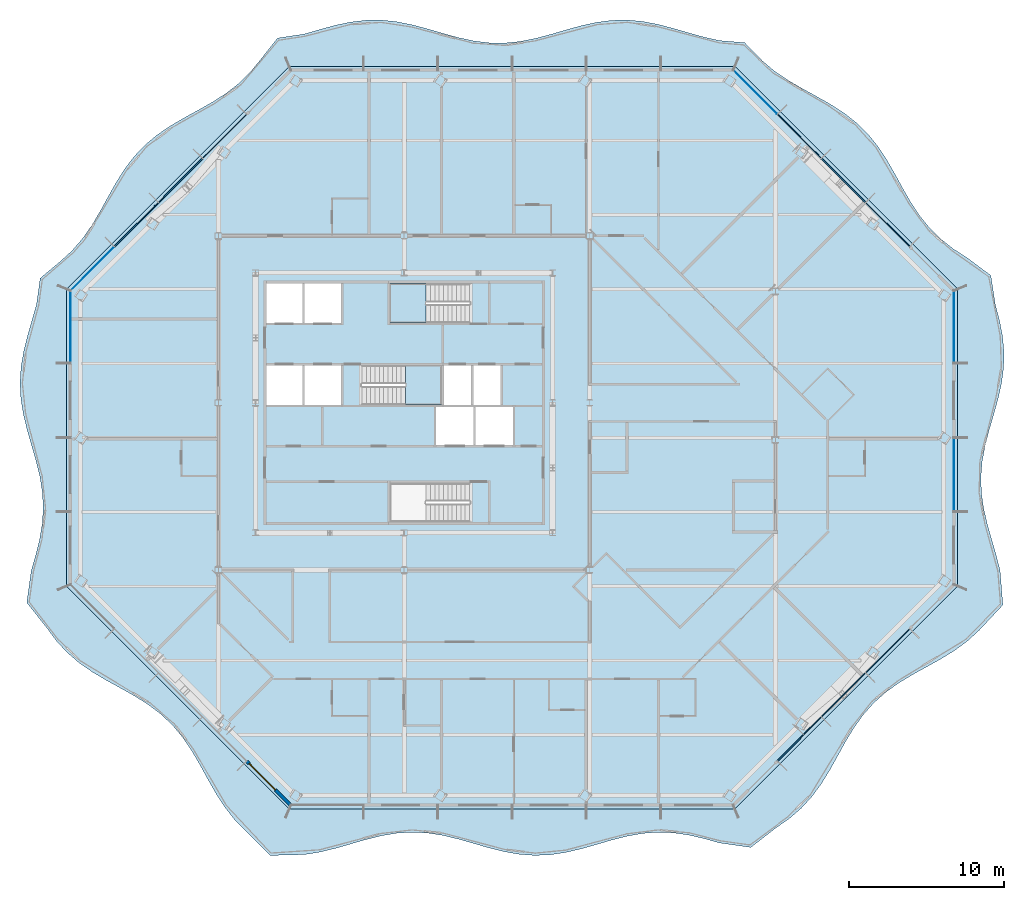
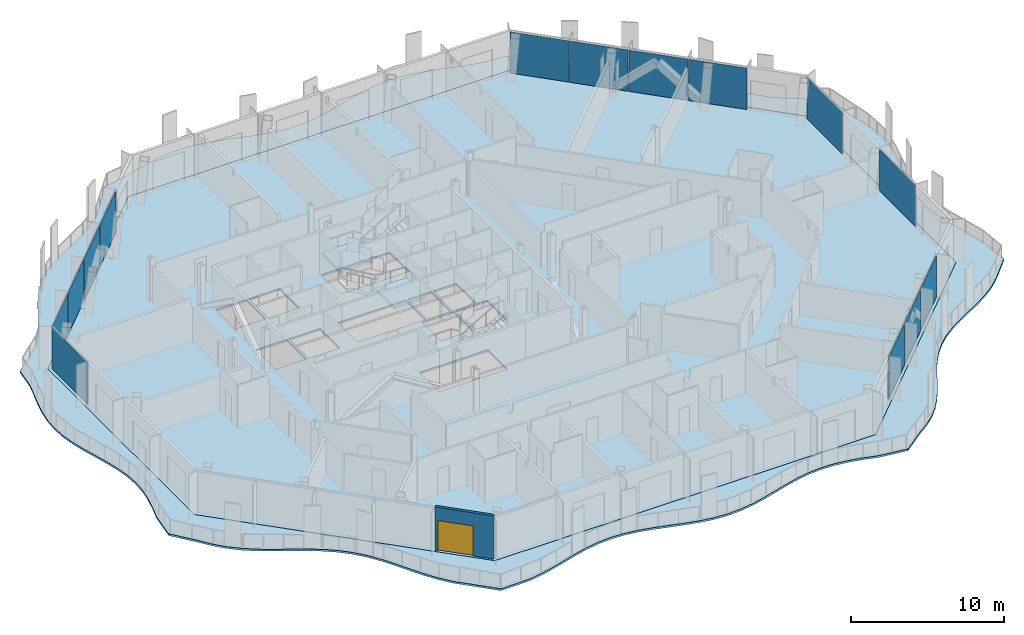
# One storey, part 6 of 19: 14 plates, 4 slabs, 1 door, 1 wall, 1 opening, 7 elements without a shape of their own.
"""IFC4 building model written with IfcOpenShell, lengths in metres."""

from ifc_helpers import new_model, si_unit, direction, frame, frame_2d, origin, origin_2d, place, context, subcontext, project, spatial, polyline, rectangle, outline, extrude, material, layer, layer_set, type_object, element, fill, aggregate, save


model = new_model("IFC4")

# Units and contexts
model_context = context("Model", 3, precision=1e-05, world=origin(), true_north=direction((0.0, 1.0)))
body_context = subcontext(model_context, "Body", "Model", "MODEL_VIEW")
ifc_project = project(units=[si_unit("LENGTHUNIT", "METRE"), si_unit("AREAUNIT", "SQUARE_METRE"), si_unit("VOLUMEUNIT", "CUBIC_METRE"), si_unit("PLANEANGLEUNIT", "RADIAN"), si_unit("MASSUNIT", "GRAM", prefix="KILO")], contexts=[model_context])

# Site, building, storey
site_placement = place(None, origin())
site = spatial("IfcSite", under=ifc_project, at=site_placement, CompositionType="ELEMENT")
building_placement = place(site_placement, origin())
building = spatial("IfcBuilding", under=site, at=building_placement, Name="Cairn Pilgrim Tower", CompositionType="ELEMENT")
storey_placement = place(building_placement, frame((0.0, 0.0, 197.39990234375)))
storey = spatial("IfcBuildingStorey", under=building, at=storey_placement, Name="L50", CompositionType="ELEMENT", Elevation=197.39990234375)

# Slabs
ifc_material_1 = material(Name="Concrete C35/45", Category="concrete")
ifc_layer_1 = layer(ifc_material_1, 0.14990234375)
ifc_layer_set_1 = layer_set([ifc_layer_1], Name="BALCONY SLAB 150 CONCRETE C35/45")
slab_type_1 = type_object("IfcSlabType", Name="BALCONY SLAB 150 CONCRETE C35/45", PredefinedType="FLOOR", material=ifc_layer_set_1)
slab_1_placement = place(storey_placement, frame((0.0, 0.0, -0.14990234375)))
element("IfcSlab", 1, at=slab_1_placement, inside=storey, type_object=slab_type_1, Name="Balcony slab BS-1", PredefinedType="FLOOR", context=body_context, shape_type="SweptSolid", body=[
    extrude(outline(polyline([(-3.058349609375, -25.243408203125), (-1.467529296875, -26.85009765625), (0.76806640625, -26.793701171875), (1.76123046875, -26.63330078125), (2.75439453125, -26.392578125), (3.747314453125, -26.108154296875), (4.740478515625, -25.822509765625), (5.733642578125, -25.578369140625), (6.726806640625, -25.41259765625), (7.7197265625, -25.35009765625), (8.712890625, -25.400390625), (9.7060546875, -25.555419921875), (10.69921875, -25.79248046875), (11.692138671875, -26.07568359375), (12.685302734375, -26.362548828125), (13.678466796875, -26.60986328125), (14.671630859375, -26.78076171875), (15.66455078125, -26.849365234375), (16.65771484375, -26.805419921875), (17.65087890625, -26.655517578125), (18.64404296875, -26.42236328125), (19.636962890625, -26.140625), (20.630126953125, -25.852783203125), (21.623291015625, -25.602294921875), (22.616455078125, -25.42626953125), (23.609375, -25.3515625), (24.6025390625, -25.38916015625), (25.595703125, -25.53369140625), (26.5888671875, -25.76318359375), (27.581787109375, -26.043212890625), (29.60302734375, -26.331787109375), (31.2333984375, -25.068359375), (32.08203125, -24.476806640625), (32.85546875, -23.810546875), (33.54541015625, -23.060546875), (34.15673828125, -22.231689453125), (34.706298828125, -21.34130859375), (35.220947265625, -20.416015625), (35.7333984375, -19.488525390625), (36.2763671875, -18.59130859375), (36.87744140625, -17.75244140625), (37.5556640625, -16.99072265625), (38.317626953125, -16.3125), (39.156494140625, -15.71142578125), (40.0537109375, -15.168701171875), (40.981201171875, -14.65625), (41.906494140625, -14.141357421875), (42.796875, -13.591796875), (43.62548828125, -12.98046875), (44.37548828125, -12.29052734375), (45.89794921875, -10.66064453125), (45.717529296875, -8.439453125), (45.460693359375, -7.428955078125), (45.167236328125, -6.41845703125), (44.8828125, -5.407958984375), (44.6513671875, -4.3974609375), (44.50927734375, -3.386962890625), (44.478271484375, -2.376220703125), (44.5634765625, -1.36572265625), (44.75146484375, -0.355224609375), (45.012939453125, 0.6552734375), (45.307373046875, 1.665771484375), (45.589111328125, 2.67626953125), (45.814208984375, 3.686767578125), (45.94775390625, 4.697265625), (45.968994140625, 5.7080078125), (45.87451171875, 6.718505859375), (45.67919921875, 7.72900390625), (45.4130859375, 8.739501953125), (45.117919921875, 10.6376953125), (43.572021484375, 11.786865234375), (42.69677734375, 12.351806640625), (41.889404296875, 12.984375), (41.16357421875, 13.698486328125), (40.52001953125, 14.494873046875), (39.94677734375, 15.36181640625), (39.4208984375, 16.27587890625), (38.91162109375, 17.20654296875), (38.385498046875, 18.12060546875), (37.812255859375, 18.9873046875), (37.168701171875, 19.78369140625), (36.4423828125, 20.49755859375), (35.634765625, 21.1298828125), (34.759521484375, 21.694580078125), (33.841064453125, 22.216064453125), (32.910888671875, 22.725830078125), (32.001708984375, 23.2568359375), (31.14404296875, 23.839111328125), (30.359130859375, 24.494140625), (29.208984375, 25.6806640625), (27.581787109375, 25.815185546875), (26.5888671875, 26.03759765625), (25.595703125, 26.314453125), (24.6025390625, 26.60400390625), (23.609375, 26.863037109375), (22.616455078125, 27.052734375), (21.623291015625, 27.14404296875), (20.630126953125, 27.123779296875), (19.636962890625, 26.994873046875), (18.64404296875, 26.776611328125), (17.65087890625, 26.501708984375), (16.65771484375, 26.211669921875), (15.66455078125, 25.94970703125), (14.671630859375, 25.755615234375), (13.678466796875, 25.657958984375), (12.685302734375, 25.672119140625), (11.692138671875, 25.79541015625), (10.69921875, 26.009521484375), (9.7060546875, 26.2822265625), (8.712890625, 26.572509765625), (7.7197265625, 26.837158203125), (6.726806640625, 27.0361328125), (5.733642578125, 27.139404296875), (4.740478515625, 27.131591796875), (3.747314453125, 27.01416015625), (2.75439453125, 26.804443359375), (1.76123046875, 26.533935546875), (0.76806640625, 26.2431640625), (-0.9814453125, 25.97607421875), (-2.089599609375, 24.57470703125), (-2.7333984375, 23.7783203125), (-3.45947265625, 23.064453125), (-4.267333984375, 22.43212890625), (-5.142578125, 21.867431640625), (-6.06103515625, 21.345947265625), (-6.9912109375, 20.836181640625), (-7.900146484375, 20.30517578125), (-8.758056640625, 19.72314453125), (-9.54296875, 19.06787109375), (-10.24462890625, 18.32958984375), (-10.8662109375, 17.51123046875), (-11.4228515625, 16.6279296875), (-11.940673828125, 15.705810546875), (-12.45166015625, 14.776611328125), (-12.98828125, 13.873291015625), (-13.579833984375, 13.02490234375), (-14.24658203125, 12.25146484375), (-14.996826171875, 11.561767578125), (-16.322998046875, 10.453369140625), (-16.562255859375, 8.739501953125), (-16.85009765625, 7.72900390625), (-17.1416015625, 6.718505859375), (-17.391845703125, 5.7080078125), (-17.561767578125, 4.697265625), (-17.625, 3.686767578125), (-17.571533203125, 2.67626953125), (-17.409912109375, 1.665771484375), (-17.1650390625, 0.6552734375), (-16.875244140625, -0.355224609375), (-16.585205078125, -1.36572265625), (-16.34033203125, -2.376220703125), (-16.1787109375, -3.386962890625), (-16.125, -4.3974609375), (-16.18798828125, -5.407958984375), (-16.35791015625, -6.41845703125), (-16.60791015625, -7.428955078125), (-16.899658203125, -8.439453125), (-17.1875, -10.511474609375), (-15.88720703125, -12.152099609375), (-15.275634765625, -12.980712890625), (-14.58544921875, -13.73046875), (-13.8115234375, -14.396484375), (-12.962646484375, -14.98779296875), (-12.05908203125, -15.524169921875), (-11.1298828125, -16.034912109375), (-10.207763671875, -16.552734375), (-9.324951171875, -17.10986328125), (-8.5068359375, -17.73193359375), (-7.769287109375, -18.434326171875), (-7.114501953125, -19.219482421875), (-6.53271484375, -20.077880859375), (-6.001953125, -20.987060546875), (-5.4921875, -21.917236328125), (-4.970458984375, -22.83544921875), (-4.405517578125, -23.71044921875), (-3.772705078125, -24.517822265625), (-3.058349609375, -25.243408203125)]), holes=[polyline([(28.574951171875, -23.85009765625), (-0.22509765625, -23.85009765625), (-14.625, -9.449951171875), (-14.625, 9.75), (-0.22509765625, 24.14990234375), (28.574951171875, 24.14990234375), (42.97509765625, 9.75), (42.97509765625, -9.449951171875), (28.574951171875, -23.85009765625)])]), origin(), (0.0, 0.0, 1.0), 0.14990234375),
])
ifc_layer_2 = layer(ifc_material_1, 0.14990234375)
ifc_layer_set_2 = layer_set([ifc_layer_2], Name="COMPOSITE FLOOR SLAB 150")
slab_type_2 = type_object("IfcSlabType", Name="COMPOSITE FLOOR SLAB 150", PredefinedType="FLOOR", material=ifc_layer_set_2)
slab_2_placement = place(storey_placement, frame((0.0, 0.0, -0.14990234375)))
element("IfcSlab", 2, at=slab_2_placement, inside=storey, type_object=slab_type_2, Name="FLOOR SLAB L50", PredefinedType="FLOOR", context=body_context, shape_type="SweptSolid", body=[
    extrude(outline(polyline([(-0.22509765625, -23.85009765625), (28.574951171875, -23.85009765625), (42.97509765625, -9.449951171875), (42.97509765625, 9.75), (28.574951171875, 24.14990234375), (-0.22509765625, 24.14990234375), (-14.625, 9.75), (-14.625, -9.449951171875), (-0.22509765625, -23.85009765625)]), holes=[polyline([(9.27490234375, -0.324951171875), (11.675048828125, -0.324951171875), (11.675048828125, 2.125), (9.27490234375, 2.125), (9.27490234375, -0.324951171875)]), polyline([(11.824951171875, -0.324951171875), (14.22509765625, -0.324951171875), (14.22509765625, 2.125), (11.824951171875, 2.125), (11.824951171875, -0.324951171875)]), polyline([(-1.72509765625, 2.27490234375), (0.625, 2.27490234375), (0.625, 4.824951171875), (-1.72509765625, 4.824951171875), (-1.72509765625, 2.27490234375)]), polyline([(0.77490234375, 2.27490234375), (3.125, 2.27490234375), (3.125, 4.824951171875), (0.77490234375, 4.824951171875), (0.77490234375, 2.27490234375)]), polyline([(-1.72509765625, 7.574951171875), (0.625, 7.574951171875), (0.625, 10.10009765625), (-1.72509765625, 10.10009765625), (-1.72509765625, 7.574951171875)]), polyline([(0.77490234375, 7.574951171875), (3.125, 7.574951171875), (3.125, 10.10009765625), (0.77490234375, 10.10009765625), (0.77490234375, 7.574951171875)]), polyline([(9.77490234375, 2.27490234375), (11.52490234375, 2.27490234375), (11.52490234375, 4.824951171875), (9.77490234375, 4.824951171875), (9.77490234375, 2.27490234375)]), polyline([(11.675048828125, 2.27490234375), (13.425048828125, 2.27490234375), (13.425048828125, 4.824951171875), (11.675048828125, 4.824951171875), (11.675048828125, 2.27490234375)]), polyline([(11.424560546875, -2.77490234375), (6.27490234375, -2.77490234375), (6.27490234375, -5.300048828125), (11.424560546875, -5.300048828125), (11.424560546875, -2.77490234375)]), polyline([(4.4755859375, 2.27490234375), (9.625, 2.27490234375), (9.625, 4.824951171875), (4.4755859375, 4.824951171875), (4.4755859375, 2.27490234375)]), polyline([(11.424560546875, 10.10009765625), (6.27490234375, 10.10009765625), (6.27490234375, 7.574951171875), (11.424560546875, 7.574951171875), (11.424560546875, 10.10009765625)])]), origin(), (0.0, 0.0, 1.0), 0.14990234375),
])

# Curtain wall, plates
ifc_material_2 = material(Name="Aluminium alloy 6063-T6 bronze anodised with Bronze tinted laminated low-E glass 8+16+8.8", Category="aluminium")
curtain_wall_type_1 = type_object("IfcCurtainWallType", Name="CHAMFER CORNER CURTAIN WALL", PredefinedType="NOTDEFINED", material=ifc_material_2)
curtain_wall_1_placement = place(storey_placement, origin())
curtain_wall_1 = element("IfcCurtainWall", 3, at=curtain_wall_1_placement, inside=storey, type_object=curtain_wall_type_1, Name="Chamfer Corner Curtain Wall SE", PredefinedType="NOTDEFINED")
ifc_material_3 = material(Name="Bronze anodised aluminium spandrel panel with mineral wool insulation", Category="aluminium")
ifc_layer_3 = layer(ifc_material_3, 0.06005859375)
ifc_layer_set_3 = layer_set([ifc_layer_3], Name="SPANDREL PANEL 3972x3300")
plate_type_1 = type_object("IfcPlateType", Name="SPANDREL PANEL 3972x3300", PredefinedType="CURTAIN_PANEL", material=ifc_layer_set_3)
plate_1_placement = place(storey_placement, frame((32.74755859375, -19.323974609375, 0.0), z_axis=(0.0, 0.0, 1.0), x_axis=(0.707106781187, 0.707106781187, 0.0)))
plate_1 = element("IfcPlate", 4, at=plate_1_placement, type_object=plate_type_1, Name="Spandrel Panel SE2-1", PredefinedType="CURTAIN_PANEL", context=body_context, shape_type="SweptSolid", body=[
    extrude(rectangle(XDim=3.971435546875, YDim=0.06005859375, at=origin_2d()), origin(), (0.0, 0.0, 1.0), 3.300048828125),
])
plate_2_placement = place(storey_placement, frame((35.59814453125, -16.47314453125, 0.0), z_axis=(0.0, 0.0, 1.0), x_axis=(0.707106781187, 0.707106781187, 0.0)))
plate_2 = element("IfcPlate", 5, at=plate_2_placement, type_object=plate_type_1, Name="Spandrel Panel SE3-1", PredefinedType="CURTAIN_PANEL", context=body_context, shape_type="SweptSolid", body=[
    extrude(rectangle(XDim=3.971435546875, YDim=0.06005859375, at=origin_2d()), origin(), (0.0, 0.0, 1.0), 3.300048828125),
])
plate_3_placement = place(storey_placement, frame((38.448974609375, -13.62255859375, 0.0), z_axis=(0.0, 0.0, 1.0), x_axis=(0.707106781187, 0.707106781187, 0.0)))
plate_3 = element("IfcPlate", 6, at=plate_3_placement, type_object=plate_type_1, Name="Spandrel Panel SE4-1", PredefinedType="CURTAIN_PANEL", context=body_context, shape_type="SweptSolid", body=[
    extrude(rectangle(XDim=3.971435546875, YDim=0.06005859375, at=origin_2d()), origin(), (0.0, 0.0, 1.0), 3.300048828125),
])
aggregate(curtain_wall_1, [plate_1, plate_2, plate_3])

curtain_wall_2_placement = place(storey_placement, origin())
curtain_wall_2 = element("IfcCurtainWall", 7, at=curtain_wall_2_placement, inside=storey, type_object=curtain_wall_type_1, Name="Chamfer Corner Curtain Wall NE", PredefinedType="NOTDEFINED")
plate_4_placement = place(storey_placement, frame((38.448974609375, 13.922607421875, 0.0), z_axis=(0.0, 0.0, 1.0), x_axis=(-0.707106781187, 0.707106781187, 0.0)))
plate_4 = element("IfcPlate", 8, at=plate_4_placement, type_object=plate_type_1, Name="Spandrel Panel NE2-1", PredefinedType="CURTAIN_PANEL", context=body_context, shape_type="SweptSolid", body=[
    extrude(rectangle(XDim=3.971435546875, YDim=0.06005859375, at=origin_2d()), origin(), (0.0, 0.0, 1.0), 3.300048828125),
])
plate_5_placement = place(storey_placement, frame((35.59814453125, 16.773193359375, 0.0), z_axis=(0.0, 0.0, 1.0), x_axis=(-0.707106781187, 0.707106781187, 0.0)))
plate_5 = element("IfcPlate", 9, at=plate_5_placement, type_object=plate_type_1, Name="Spandrel Panel NE3-1", PredefinedType="CURTAIN_PANEL", context=body_context, shape_type="SweptSolid", body=[
    extrude(rectangle(XDim=3.971435546875, YDim=0.06005859375, at=origin_2d()), origin(), (0.0, 0.0, 1.0), 3.300048828125),
])
plate_6_placement = place(storey_placement, frame((32.74755859375, 19.6240234375, 0.0), z_axis=(0.0, 0.0, 1.0), x_axis=(-0.707106781187, 0.707106781187, 0.0)))
plate_6 = element("IfcPlate", 10, at=plate_6_placement, type_object=plate_type_1, Name="Spandrel Panel NE4-1", PredefinedType="CURTAIN_PANEL", context=body_context, shape_type="SweptSolid", body=[
    extrude(rectangle(XDim=3.971435546875, YDim=0.06005859375, at=origin_2d()), origin(), (0.0, 0.0, 1.0), 3.300048828125),
])

curtain_wall_3_placement = place(storey_placement, origin())
curtain_wall_3 = element("IfcCurtainWall", 11, at=curtain_wall_3_placement, inside=storey, type_object=curtain_wall_type_1, Name="Chamfer Corner Curtain Wall NW", PredefinedType="NOTDEFINED")
plate_7_placement = place(storey_placement, frame((-4.3974609375, 19.6240234375, 0.0), z_axis=(0.0, 0.0, 1.0), x_axis=(-0.707106781187, -0.707106781187, 0.0)))
plate_7 = element("IfcPlate", 12, at=plate_7_placement, type_object=plate_type_1, Name="Spandrel Panel NW2-1", PredefinedType="CURTAIN_PANEL", context=body_context, shape_type="SweptSolid", body=[
    extrude(rectangle(XDim=3.971435546875, YDim=0.06005859375, at=origin_2d()), origin(), (0.0, 0.0, 1.0), 3.300048828125),
])
plate_8_placement = place(storey_placement, frame((-7.248291015625, 16.773193359375, 0.0), z_axis=(0.0, 0.0, 1.0), x_axis=(-0.707106781187, -0.707106781187, 0.0)))
plate_8 = element("IfcPlate", 13, at=plate_8_placement, type_object=plate_type_1, Name="Spandrel Panel NW3-1", PredefinedType="CURTAIN_PANEL", context=body_context, shape_type="SweptSolid", body=[
    extrude(rectangle(XDim=3.971435546875, YDim=0.06005859375, at=origin_2d()), origin(), (0.0, 0.0, 1.0), 3.300048828125),
])
plate_9_placement = place(storey_placement, frame((-10.098876953125, 13.922607421875, 0.0), z_axis=(0.0, 0.0, 1.0), x_axis=(-0.707106781187, -0.707106781187, 0.0)))
plate_9 = element("IfcPlate", 14, at=plate_9_placement, type_object=plate_type_1, Name="Spandrel Panel NW4-1", PredefinedType="CURTAIN_PANEL", context=body_context, shape_type="SweptSolid", body=[
    extrude(rectangle(XDim=3.971435546875, YDim=0.06005859375, at=origin_2d()), origin(), (0.0, 0.0, 1.0), 3.300048828125),
])

# Stair, slab
ifc_material_4 = material(Name="Concrete C32/40", Category="concrete")
stair_type = type_object("IfcStairType", Name="EXIT STAIR 1200", PredefinedType="HALF_TURN_STAIR", material=ifc_material_4)
stair_1_placement = place(storey_placement, origin())
stair_1 = element("IfcStair", 15, at=stair_1_placement, inside=storey, type_object=stair_type, Name="L50 Exit Stair B", PredefinedType="HALF_TURN_STAIR")
ifc_layer_4 = layer(ifc_material_4, 0.199951171875)
ifc_layer_set_4 = layer_set([ifc_layer_4], Name="STAIR LANDING 200")
slab_type_3 = type_object("IfcSlabType", Name="STAIR LANDING 200", PredefinedType="LANDING", material=ifc_layer_set_4)
slab_3_placement = place(storey_placement, frame((0.0, 0.0, 1.60009765625)))
slab_3 = element("IfcSlab", 16, at=slab_3_placement, type_object=slab_type_3, Name="ST-B landing 1", PredefinedType="LANDING", context=body_context, shape_type="SweptSolid", body=[
    extrude(outline(polyline([(7.27490234375, 2.27490234375), (9.625, 2.27490234375), (9.625, 4.824951171875), (7.27490234375, 4.824951171875), (7.27490234375, 2.27490234375)])), origin(), (0.0, 0.0, 1.0), 0.199951171875),
])
aggregate(stair_1, [slab_3])

stair_2_placement = place(storey_placement, origin())
stair_2 = element("IfcStair", 17, at=stair_2_placement, inside=storey, type_object=stair_type, Name="L50 Exit Stair C", PredefinedType="HALF_TURN_STAIR")
slab_4_placement = place(storey_placement, frame((0.0, 0.0, 1.60009765625)))
slab_4 = element("IfcSlab", 18, at=slab_4_placement, type_object=slab_type_3, Name="ST-C landing 1", PredefinedType="LANDING", context=body_context, shape_type="SweptSolid", body=[
    extrude(outline(polyline([(8.625, 10.10009765625), (6.27490234375, 10.10009765625), (6.27490234375, 7.574951171875), (8.625, 7.574951171875), (8.625, 10.10009765625)])), origin(), (0.0, 0.0, 1.0), 0.199951171875),
])
aggregate(stair_2, [slab_4])

# Plate
ifc_material_5 = material(Name="Bronze tinted laminated low-E glass 8+16+8.8", Category="glass")
ifc_layer_5 = layer(ifc_material_5, 0.033935546875)
ifc_layer_set_5 = layer_set([ifc_layer_5], Name="VISION GLAZING 3962x3300")
plate_type_2 = type_object("IfcPlateType", Name="VISION GLAZING 3962x3300", PredefinedType="CURTAIN_PANEL", material=ifc_layer_set_5)
plate_10_placement = place(storey_placement, frame((29.900390625, 22.47119140625, 0.0), z_axis=(0.0, 0.0, 1.0), x_axis=(-0.707106781187, 0.707106781187, 0.0)))
plate_10 = element("IfcPlate", 19, at=plate_10_placement, type_object=plate_type_2, Name="Vision Glazing NE5-1", PredefinedType="CURTAIN_PANEL", context=body_context, shape_type="SweptSolid", body=[
    extrude(rectangle(XDim=3.96142578125, YDim=0.033935546875, at=origin_2d()), origin(), (0.0, 0.0, 1.0), 3.300048828125),
])

aggregate(curtain_wall_2, [plate_4, plate_5, plate_6, plate_10])

plate_11_placement = place(storey_placement, frame((-12.946044921875, 11.075439453125, 0.0), z_axis=(0.0, 0.0, 1.0), x_axis=(-0.707106781187, -0.707106781187, 0.0)))
plate_11 = element("IfcPlate", 20, at=plate_11_placement, type_object=plate_type_2, Name="Vision Glazing NW5-1", PredefinedType="CURTAIN_PANEL", context=body_context, shape_type="SweptSolid", body=[
    extrude(rectangle(XDim=3.96142578125, YDim=0.033935546875, at=origin_2d()), origin(), (0.0, 0.0, 1.0), 3.300048828125),
])

aggregate(curtain_wall_3, [plate_7, plate_8, plate_9, plate_11])

# Curtain wall, plate
curtain_wall_type_2 = type_object("IfcCurtainWallType", Name="TOWER STICK CURTAIN WALL EW", PredefinedType="NOTDEFINED", material=ifc_material_2)
curtain_wall_4_placement = place(storey_placement, origin())
curtain_wall_4 = element("IfcCurtainWall", 21, at=curtain_wall_4_placement, inside=storey, type_object=curtain_wall_type_2, Name="Tower Stick Curtain Wall Ew E", PredefinedType="NOTDEFINED")
ifc_layer_6 = layer(ifc_material_5, 0.033935546875)
ifc_layer_set_6 = layer_set([ifc_layer_6], Name="VISION GLAZING 4626x3300")
plate_type_3 = type_object("IfcPlateType", Name="VISION GLAZING 4626x3300", PredefinedType="CURTAIN_PANEL", material=ifc_layer_set_6)
plate_12_placement = place(storey_placement, frame((42.72509765625, 7.293212890625, 0.0), z_axis=(0.0, 0.0, 1.0), x_axis=(0.0, 1.0, 0.0)))
plate_12 = element("IfcPlate", 22, at=plate_12_placement, type_object=plate_type_3, Name="Vision Glazing E4-1", PredefinedType="CURTAIN_PANEL", context=body_context, shape_type="SweptSolid", body=[
    extrude(rectangle(XDim=4.62646484375, YDim=0.033935546875, at=origin_2d()), origin(), (0.0, 0.0, 1.0), 3.300048828125),
])

curtain_wall_5_placement = place(storey_placement, origin())
curtain_wall_5 = element("IfcCurtainWall", 23, at=curtain_wall_5_placement, inside=storey, type_object=curtain_wall_type_2, Name="Tower Stick Curtain Wall Ew W", PredefinedType="NOTDEFINED")
plate_13_placement = place(storey_placement, frame((-14.375, 7.293212890625, 0.0), z_axis=(0.0, 0.0, 1.0), x_axis=(0.0, -1.0, 0.0)))
plate_13 = element("IfcPlate", 24, at=plate_13_placement, type_object=plate_type_3, Name="Vision Glazing W1-1", PredefinedType="CURTAIN_PANEL", context=body_context, shape_type="SweptSolid", body=[
    extrude(rectangle(XDim=4.62646484375, YDim=0.033935546875, at=origin_2d()), origin(), (0.0, 0.0, 1.0), 3.300048828125),
])
aggregate(curtain_wall_5, [plate_13])

# Plate
ifc_layer_7 = layer(ifc_material_5, 0.033935546875)
ifc_layer_set_7 = layer_set([ifc_layer_7], Name="VISION GLAZING 4740x3300")
plate_type_4 = type_object("IfcPlateType", Name="VISION GLAZING 4740x3300", PredefinedType="CURTAIN_PANEL", material=ifc_layer_set_7)
plate_14_placement = place(storey_placement, frame((42.72509765625, -2.25, 0.0), z_axis=(0.0, 0.0, 1.0), x_axis=(0.0, 1.0, 0.0)))
plate_14 = element("IfcPlate", 25, at=plate_14_placement, type_object=plate_type_4, Name="Vision Glazing E2-1", PredefinedType="CURTAIN_PANEL", context=body_context, shape_type="SweptSolid", body=[
    extrude(rectangle(XDim=4.739990234375, YDim=0.033935546875, at=origin_2d()), origin(), (0.0, 0.0, 1.0), 3.300048828125),
])

aggregate(curtain_wall_4, [plate_14, plate_12])

# Wall, opening, door
ifc_material_6 = material(Name="Bronze anodised aluminium insulated sandwich panel with mineral wool fill", Category="aluminium")
ifc_layer_8 = layer(ifc_material_6, 0.199951171875)
ifc_layer_set_8 = layer_set([ifc_layer_8], Name="BRONZE INFILL FRAME WALL 200")
wall_type = type_object("IfcWallType", Name="BRONZE INFILL FRAME WALL 200", PredefinedType="NOTDEFINED", material=ifc_layer_set_8)
wall_placement = place(storey_placement, frame((-2.950927734375, -20.7705078125, 0.0), z_axis=(0.0, 0.0, 1.0), x_axis=(0.707106781187, -0.707106781187, 0.0)))
wall = element("IfcWall", 26, at=wall_placement, inside=storey, type_object=wall_type, Name="Bronze infill frame wall IW-SW5", PredefinedType="NOTDEFINED", context=body_context, shape_type="SweptSolid", body=[
    extrude(rectangle(XDim=3.961669921875, YDim=0.199951171875, at=frame_2d((1.98095703125, 0.0))), origin(), (0.0, 0.0, 1.0), 3.4501953125),
])
opening_placement = place(wall_placement, frame((0.199951171875, 0.0, 0.0)))
opening = element("IfcOpeningElement", 27, at=opening_placement, cuts=wall, Name="Opening 5015B", PredefinedType="OPENING", context=body_context, shape_type="SweptSolid", body=[
    extrude(rectangle(XDim=2.39990234375, YDim=2.39990234375, at=frame_2d((1.199951171875, 1.199951171875))), frame((0.0, 0.10986328125, 0.0), z_axis=(0.0, -1.0, 0.0), x_axis=(1.0, 0.0, 0.0)), (0.0, 0.0, 1.0), 0.219970703125),
])
ifc_material_7 = material(Name="Bronze anodised aluminium frame with tinted low-E glass", Category="aluminium")
door_type = type_object("IfcDoorType", Name="BALCONY SLIDING DOOR 2400x2400", OperationType="DOUBLE_DOOR_SLIDING", PredefinedType="DOOR", material=ifc_material_7)
door_placement = place(opening_placement, origin())
door = element("IfcDoor", 28, at=door_placement, inside=storey, type_object=door_type, Name="Balcony sliding door 5015B", OperationType="SINGLE_SWING_LEFT", OverallHeight=2.39990234375, OverallWidth=2.39990234375, PredefinedType="DOOR", context=body_context, shape_type="SweptSolid", body=[
    extrude(rectangle(XDim=2.39990234375, YDim=2.39990234375, at=frame_2d((1.199951171875, 1.199951171875))), frame((0.0, 0.02490234375, 0.0), z_axis=(0.0, -1.0, 0.0), x_axis=(1.0, 0.0, 0.0)), (0.0, 0.0, 1.0), 0.050048828125),
])
fill(opening, door)

save(model, "model.ifc")
